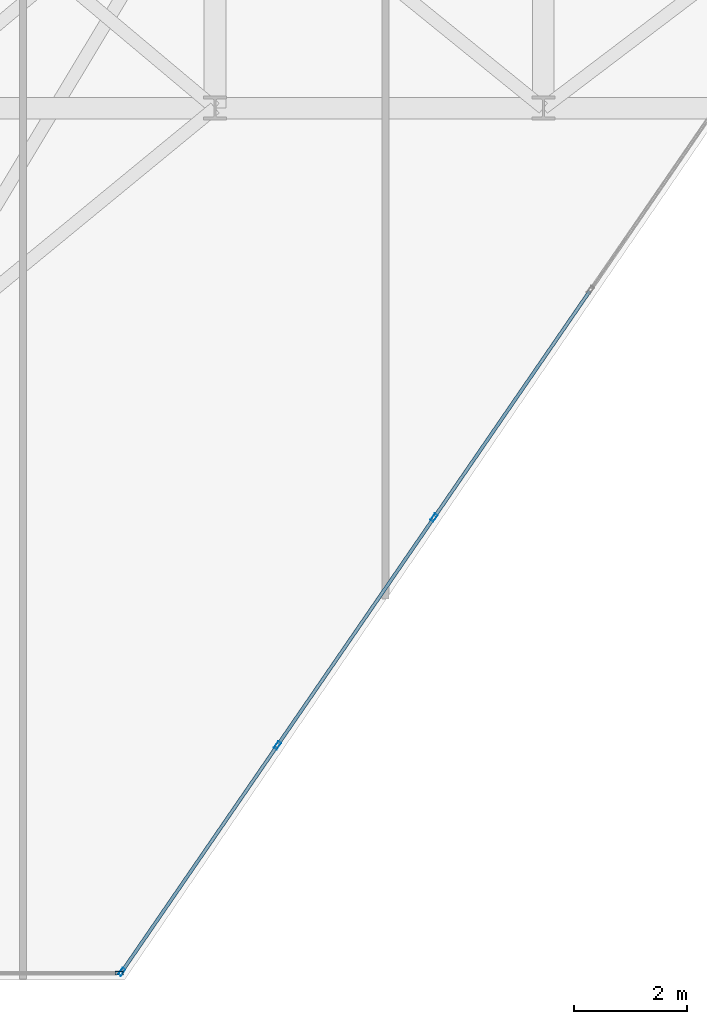
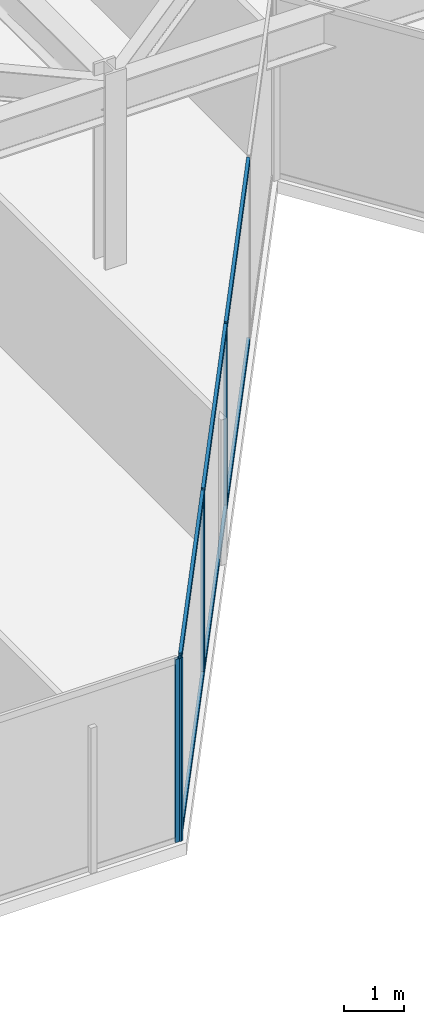
# One storey, part 6 of 26: 10 members, 2 elements without a shape of their own.
"""IFC4 building model written with IfcOpenShell, lengths in metres."""

from ifc_helpers import new_model, si_unit, direction, frame, origin, origin_2d, place, context, subcontext, project, spatial, hollow_rectangle, extrude, material, layer, layer_set, material_profile, profile_set, type_object, element, aggregate, save


model = new_model("IFC4")

# Units and contexts
model_context = context("Model", 3, precision=1e-05, world=origin(), true_north=direction((0.0, 1.0)))
body_context = subcontext(model_context, "Body", "Model", "MODEL_VIEW")
ifc_project = project(units=[si_unit("LENGTHUNIT", "METRE"), si_unit("AREAUNIT", "SQUARE_METRE"), si_unit("VOLUMEUNIT", "CUBIC_METRE"), si_unit("PLANEANGLEUNIT", "RADIAN"), si_unit("MASSUNIT", "GRAM", prefix="KILO")], contexts=[model_context])

# Site, building, storey
site_placement = place(None, origin())
site = spatial("IfcSite", under=ifc_project, at=site_placement, CompositionType="ELEMENT")
building_placement = place(site_placement, origin())
building = spatial("IfcBuilding", under=site, at=building_placement, Name="Kravanh Interchange Tower", CompositionType="ELEMENT")
storey_placement = place(building_placement, frame((0.0, 0.0, 180.5)))
storey = spatial("IfcBuildingStorey", under=building, at=storey_placement, Name="L43", CompositionType="ELEMENT", Elevation=180.5)

# Curtain wall, members
ifc_material_1 = material(Name="Anodised Bronze Aluminium", Category="aluminium")
ifc_layer = layer(ifc_material_1, 0.179931640625)
ifc_layer_set = layer_set([ifc_layer], Name="Unitised Curtain Wall System CW-Z3 Upper Office")
curtain_wall_type = type_object("IfcCurtainWallType", Name="Unitised Curtain Wall System CW-Z3 Upper Office", PredefinedType="NOTDEFINED", material=ifc_layer_set)
curtain_wall_1_placement = place(storey_placement, origin())
curtain_wall_1 = element("IfcCurtainWall", 1, at=curtain_wall_1_placement, inside=storey, type_object=curtain_wall_type, Name="L43 Unitised Curtain Wall CW-L43-05", PredefinedType="NOTDEFINED")
ifc_material_2 = material(Name="Anodised Bronze Aluminium", Category="aluminium")
ifc_material_profile_1 = material_profile(ifc_material_2, hollow_rectangle(XDim=0.06005859375, YDim=0.139892578125, WallThickness=0.00390625, at=origin_2d()), Name="ALU60X140X4")
ifc_profile_set_1 = profile_set([ifc_material_profile_1], Name="Anodised Bronze Aluminium")
member_type_1 = type_object("IfcMemberType", Name="Curtain Wall Mullion ALU60X140X4 Bronze", PredefinedType="MULLION", material=ifc_profile_set_1)
member_1_placement = place(storey_placement, frame((36.66845703125, 19.56591796875, 0.0), z_axis=(0.0, 0.0, 1.0), x_axis=(0.824042223035, -0.566528388217, 0.0)))
member_1 = element("IfcMember", 2, at=member_1_placement, type_object=member_type_1, Name="CW-Z3 mullion 3", PredefinedType="MULLION", context=body_context, shape_type="SweptSolid", body=[
    extrude(hollow_rectangle(XDim=0.06005859375, YDim=0.139892578125, WallThickness=0.00390625, at=origin_2d()), origin(), (0.0, 0.0, 1.0), 3.7548828125),
])
member_2_placement = place(storey_placement, frame((33.902587890625, 15.54296875, 0.0), z_axis=(0.0, 0.0, 1.0), x_axis=(0.824042223035, -0.566528388217, 0.0)))
member_2 = element("IfcMember", 3, at=member_2_placement, type_object=member_type_1, Name="CW-Z3 mullion 4", PredefinedType="MULLION", context=body_context, shape_type="SweptSolid", body=[
    extrude(hollow_rectangle(XDim=0.06005859375, YDim=0.139892578125, WallThickness=0.00390625, at=origin_2d()), origin(), (0.0, 0.0, 1.0), 3.7548828125),
])
member_3_placement = place(storey_placement, frame((31.15380859375, 11.544677734375, 0.0), z_axis=(0.0, 0.0, 1.0), x_axis=(0.824042223035, -0.566528388217, 0.0)))
member_3 = element("IfcMember", 4, at=member_3_placement, type_object=member_type_1, Name="CW-Z3 mullion 5", PredefinedType="MULLION", context=body_context, shape_type="SweptSolid", body=[
    extrude(hollow_rectangle(XDim=0.06005859375, YDim=0.139892578125, WallThickness=0.00390625, at=origin_2d()), origin(), (0.0, 0.0, 1.0), 3.7548828125),
])

# Curtain wall, member
curtain_wall_2_placement = place(storey_placement, origin())
curtain_wall_2 = element("IfcCurtainWall", 5, at=curtain_wall_2_placement, inside=storey, type_object=curtain_wall_type, Name="L43 Unitised Curtain Wall CW-L43-06", PredefinedType="NOTDEFINED")
member_4_placement = place(storey_placement, frame((31.10693359375, 11.52001953125, 0.0), z_axis=(0.0, 0.0, 1.0), x_axis=(0.0, -1.0, 0.0)))
member_4 = element("IfcMember", 6, at=member_4_placement, type_object=member_type_1, Name="CW-Z3 mullion 1", PredefinedType="MULLION", context=body_context, shape_type="SweptSolid", body=[
    extrude(hollow_rectangle(XDim=0.06005859375, YDim=0.139892578125, WallThickness=0.00390625, at=origin_2d()), origin(), (0.0, 0.0, 1.0), 3.7548828125),
])
aggregate(curtain_wall_2, [member_4])

# Member
ifc_material_3 = material(Name="Anodised Bronze Aluminium", Category="aluminium")
ifc_material_profile_2 = material_profile(ifc_material_3, hollow_rectangle(XDim=0.06005859375, YDim=0.139892578125, WallThickness=0.00390625, at=origin_2d()), Name="ALU60X140X4")
ifc_profile_set_2 = profile_set([ifc_material_profile_2], Name="Anodised Bronze Aluminium")
member_type_2 = type_object("IfcMemberType", Name="Curtain Wall Transom ALU60X140X4 Bronze", PredefinedType="USERDEFINED", material=ifc_profile_set_2)
member_5_placement = place(storey_placement, frame((39.417236328125, 23.564208984375, 0.030029296875), z_axis=(-0.566503037389, -0.824059651135, 0.0), x_axis=(0.824059651135, -0.566503037389, 0.0)))
member_5 = element("IfcMember", 7, at=member_5_placement, type_object=member_type_2, Name="CW-Z3 transom 2.1", ObjectType="TRANSOM", PredefinedType="USERDEFINED", context=body_context, shape_type="SweptSolid", body=[
    extrude(hollow_rectangle(XDim=0.06005859375, YDim=0.139892578125, WallThickness=0.00390625, at=origin_2d()), origin(), (0.0, 0.0, 1.0), 4.822021484375),
])

member_6_placement = place(storey_placement, frame((39.417236328125, 23.564208984375, 3.72509765625), z_axis=(-0.566503037389, -0.824059651135, 0.0), x_axis=(0.824059651135, -0.566503037389, 0.0)))
member_6 = element("IfcMember", 8, at=member_6_placement, type_object=member_type_2, Name="CW-Z3 transom 2.2", ObjectType="TRANSOM", PredefinedType="USERDEFINED", context=body_context, shape_type="SweptSolid", body=[
    extrude(hollow_rectangle(XDim=0.06005859375, YDim=0.139892578125, WallThickness=0.00390625, at=origin_2d()), origin(), (0.0, 0.0, 1.0), 4.822021484375),
])

member_7_placement = place(storey_placement, frame((36.6513671875, 19.541259765625, 0.030029296875), z_axis=(-0.566503037389, -0.824059651135, 0.0), x_axis=(0.824059651135, -0.566503037389, 0.0)))
member_7 = element("IfcMember", 9, at=member_7_placement, type_object=member_type_2, Name="CW-Z3 transom 3.1", ObjectType="TRANSOM", PredefinedType="USERDEFINED", context=body_context, shape_type="SweptSolid", body=[
    extrude(hollow_rectangle(XDim=0.06005859375, YDim=0.139892578125, WallThickness=0.00390625, at=origin_2d()), origin(), (0.0, 0.0, 1.0), 4.822021484375),
])

member_8_placement = place(storey_placement, frame((36.6513671875, 19.541259765625, 3.72509765625), z_axis=(-0.566503037389, -0.824059651135, 0.0), x_axis=(0.824059651135, -0.566503037389, 0.0)))
member_8 = element("IfcMember", 10, at=member_8_placement, type_object=member_type_2, Name="CW-Z3 transom 3.2", ObjectType="TRANSOM", PredefinedType="USERDEFINED", context=body_context, shape_type="SweptSolid", body=[
    extrude(hollow_rectangle(XDim=0.06005859375, YDim=0.139892578125, WallThickness=0.00390625, at=origin_2d()), origin(), (0.0, 0.0, 1.0), 4.822021484375),
])

member_9_placement = place(storey_placement, frame((33.8857421875, 15.518310546875, 0.030029296875), z_axis=(-0.566518012045, -0.824049356549, 0.0), x_axis=(0.824049356549, -0.566518012045, 0.0)))
member_9 = element("IfcMember", 11, at=member_9_placement, type_object=member_type_2, Name="CW-Z3 transom 4.1", ObjectType="TRANSOM", PredefinedType="USERDEFINED", context=body_context, shape_type="SweptSolid", body=[
    extrude(hollow_rectangle(XDim=0.06005859375, YDim=0.139892578125, WallThickness=0.00390625, at=origin_2d()), origin(), (0.0, 0.0, 1.0), 4.792236328125),
])

member_10_placement = place(storey_placement, frame((33.8857421875, 15.518310546875, 3.72509765625), z_axis=(-0.566518012045, -0.824049356549, 0.0), x_axis=(0.824049356549, -0.566518012045, 0.0)))
member_10 = element("IfcMember", 12, at=member_10_placement, type_object=member_type_2, Name="CW-Z3 transom 4.2", ObjectType="TRANSOM", PredefinedType="USERDEFINED", context=body_context, shape_type="SweptSolid", body=[
    extrude(hollow_rectangle(XDim=0.06005859375, YDim=0.139892578125, WallThickness=0.00390625, at=origin_2d()), origin(), (0.0, 0.0, 1.0), 4.792236328125),
])

aggregate(curtain_wall_1, [member_1, member_2, member_3, member_5, member_6, member_7, member_8, member_9, member_10])

save(model, "model.ifc")
